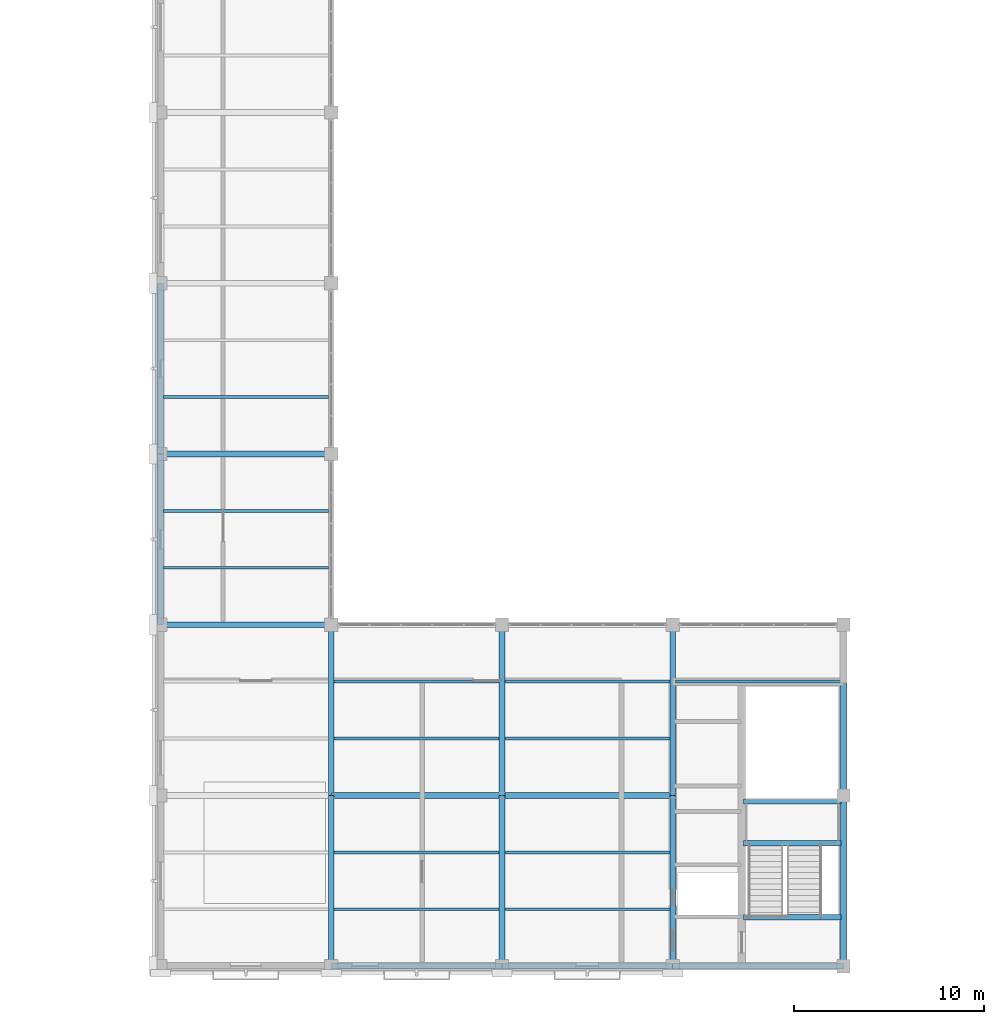
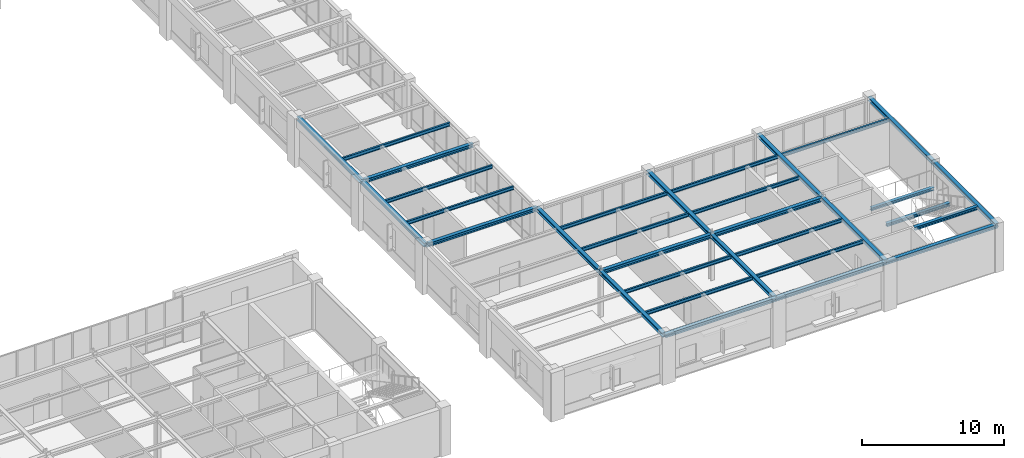
# One storey, part 49 of 108: 32 beams.
"""IFC4 building model written with IfcOpenShell, lengths in metres."""

from ifc_helpers import new_model, si_unit, direction, frame, origin, origin_2d, place, context, subcontext, project, spatial, i_section, extrude, material, material_profile, profile_set, type_object, element, save


model = new_model("IFC4")

# Units and contexts
model_context = context("Model", 3, precision=1e-05, world=origin(), true_north=direction((0.0, 1.0)))
body_context = subcontext(model_context, "Body", "Model", "MODEL_VIEW")
ifc_project = project(units=[si_unit("LENGTHUNIT", "METRE"), si_unit("AREAUNIT", "SQUARE_METRE"), si_unit("VOLUMEUNIT", "CUBIC_METRE"), si_unit("PLANEANGLEUNIT", "RADIAN"), si_unit("MASSUNIT", "GRAM", prefix="KILO")], contexts=[model_context])

# Site, building, storey
site_placement = place(None, origin())
site = spatial("IfcSite", under=ifc_project, at=site_placement, CompositionType="ELEMENT")
building_placement = place(site_placement, origin())
building = spatial("IfcBuilding", under=site, at=building_placement, Name="Lykobir Media Centre", CompositionType="ELEMENT")
storey_placement = place(building_placement, frame((0.0, 0.0, 15.0)))
storey = spatial("IfcBuildingStorey", under=building, at=storey_placement, Name="L03", CompositionType="ELEMENT", Elevation=15.0)

# Beams
ifc_material = material(Name="Steel S355", Category="steel")
ifc_material_profile_1 = material_profile(ifc_material, i_section(OverallWidth=0.300048828125, OverallDepth=0.31005859375, WebThickness=0.009033203125, FlangeThickness=0.015380859375, at=origin_2d()), Name="HEA 320")
ifc_profile_set_1 = profile_set([ifc_material_profile_1], Name="Steel S355")
beam_type_1 = type_object("IfcBeamType", Name="BM-HEA320", PredefinedType="BEAM", material=ifc_profile_set_1)
for number, where, z_axis, x_axis, name in (
    (1, (99.0, 0.0, 3.804931640625), (0.0, 1.0, 0.0), (-1.0, 0.0, 0.0), "Beam BM-L03-0990-0000-0990-0090-1880"),
    (2, (99.0, 9.0, 3.804931640625), (0.0, 1.0, 0.0), (-1.0, 0.0, 0.0), "Beam BM-L03-0990-0090-0990-0180-1880"),
    (3, (108.0, 0.0, 3.804931640625), (0.0, 1.0, 0.0), (-1.0, 0.0, 0.0), "Beam BM-L03-1080-0000-1080-0090-1880"),
    (4, (108.0, 9.0, 3.804931640625), (0.0, 1.0, 0.0), (-1.0, 0.0, 0.0), "Beam BM-L03-1080-0090-1080-0180-1880"),
    (5, (117.0, 0.0, 3.804931640625), (0.0, 1.0, 0.0), (-1.0, 0.0, 0.0), "Beam BM-L03-1170-0000-1170-0090-1880"),
    (6, (117.0, 9.0, 3.804931640625), (0.0, 1.0, 0.0), (-1.0, 0.0, 0.0), "Beam BM-L03-1170-0090-1170-0180-1880"),
    (7, (126.0, 0.0, 3.804931640625), (0.0, 1.0, 0.0), (-1.0, 0.0, 0.0), "Beam BM-L03-1260-0000-1260-0090-1880"),
    (8, (126.0, 9.0, 3.804931640625), (0.0, 1.0, 0.0), (-1.0, 0.0, 0.0), "Beam BM-L03-1260-0090-1260-0180-1880"),
):
    element("IfcBeam", number, at=place(storey_placement, frame(where, z_axis=z_axis, x_axis=x_axis)), inside=storey, type_object=beam_type_1, Name=name, PredefinedType="BEAM", context=body_context, shape_type="SweptSolid", body=[
        extrude(i_section(OverallWidth=0.300048828125, OverallDepth=0.31005859375, WebThickness=0.009033203125, FlangeThickness=0.015380859375, at=origin_2d()), origin(), (0.0, 0.0, 1.0), 9.0),
    ])
ifc_material_profile_2 = material_profile(ifc_material, i_section(OverallWidth=0.300048828125, OverallDepth=0.330078125, WebThickness=0.009521484375, FlangeThickness=0.0166015625, at=origin_2d()), Name="HEA 340")
ifc_profile_set_2 = profile_set([ifc_material_profile_2], Name="Steel S355")
beam_type_2 = type_object("IfcBeamType", Name="BM-HEA340", PredefinedType="BEAM", material=ifc_profile_set_2)
for number, where, z_axis, x_axis, name in (
    (9, (99.0, 9.0, 3.794921875), (1.0, 0.0, 0.0), (0.0, 1.0, 0.0), "Beam BM-L03-0990-0090-1080-0090-1880"),
    (10, (108.0, 9.0, 3.794921875), (1.0, 0.0, 0.0), (0.0, 1.0, 0.0), "Beam BM-L03-1080-0090-1170-0090-1880"),
):
    element("IfcBeam", number, at=place(storey_placement, frame(where, z_axis=z_axis, x_axis=x_axis)), inside=storey, type_object=beam_type_2, Name=name, PredefinedType="BEAM", context=body_context, shape_type="SweptSolid", body=[
        extrude(i_section(OverallWidth=0.300048828125, OverallDepth=0.330078125, WebThickness=0.009521484375, FlangeThickness=0.0166015625, at=origin_2d()), origin(), (0.0, 0.0, 1.0), 9.0),
    ])
ifc_material_profile_3 = material_profile(ifc_material, i_section(OverallWidth=0.260009765625, OverallDepth=0.25, WebThickness=0.007568359375, FlangeThickness=0.012451171875, at=origin_2d()), Name="HEA 260")
ifc_profile_set_3 = profile_set([ifc_material_profile_3], Name="Steel S355")
beam_type_3 = type_object("IfcBeamType", Name="BM-ST260", PredefinedType="BEAM", material=ifc_profile_set_3)
beam_placement = place(storey_placement, frame((120.72998046875, 8.679931640625, 1.7900390625), z_axis=(1.0, 0.0, 0.0), x_axis=(0.0, 1.0, 0.0)))
element("IfcBeam", 11, at=beam_placement, inside=storey, type_object=beam_type_3, Name="ST-5 L03 half-landing support beam", PredefinedType="BEAM", context=body_context, shape_type="SweptSolid", body=[
    extrude(i_section(OverallWidth=0.260009765625, OverallDepth=0.25, WebThickness=0.007568359375, FlangeThickness=0.012451171875, at=origin_2d()), origin(), (0.0, 0.0, 1.0), 5.14013671875),
])
ifc_material_profile_4 = material_profile(ifc_material, i_section(OverallWidth=0.280029296875, OverallDepth=0.27001953125, WebThickness=0.008056640625, FlangeThickness=0.012939453125, at=origin_2d()), Name="HEA 280")
ifc_profile_set_4 = profile_set([ifc_material_profile_4], Name="Steel S355")
beam_type_4 = type_object("IfcBeamType", Name="BM-ST280", PredefinedType="BEAM", material=ifc_profile_set_4)
for number, where, z_axis, x_axis, name in (
    (12, (120.72998046875, 2.580078125, 3.824951171875), (1.0, 0.0, 0.0), (0.0, 1.0, 0.0), "ST-5 L03 arrival trimmer beam"),
    (13, (120.72998046875, 6.47998046875, 1.780029296875), (1.0, 0.0, 0.0), (0.0, 1.0, 0.0), "ST-5 L03 mid-landing trimmer beam"),
):
    element("IfcBeam", number, at=place(storey_placement, frame(where, z_axis=z_axis, x_axis=x_axis)), inside=storey, type_object=beam_type_4, Name=name, PredefinedType="BEAM", context=body_context, shape_type="SweptSolid", body=[
        extrude(i_section(OverallWidth=0.280029296875, OverallDepth=0.27001953125, WebThickness=0.008056640625, FlangeThickness=0.012939453125, at=origin_2d()), origin(), (0.0, 0.0, 1.0), 5.14013671875),
    ])
ifc_material_profile_5 = material_profile(ifc_material, i_section(OverallWidth=0.14990234375, OverallDepth=0.300048828125, WebThickness=0.007080078125, FlangeThickness=0.0107421875, at=origin_2d()), Name="IPE 300")
ifc_profile_set_5 = profile_set([ifc_material_profile_5], Name="Steel S355")
beam_type_5 = type_object("IfcBeamType", Name="JS-IPE300", PredefinedType="JOIST", material=ifc_profile_set_5)
for number, where, z_axis, x_axis, name in (
    (14, (90.14990234375, 21.0, 3.81005859375), (1.0, 0.0, 0.0), (0.0, 1.0, 0.0), "Beam BM-L03-0902-0210-0988-0210-1881"),
    (15, (90.14990234375, 24.0, 3.81005859375), (1.0, 0.0, 0.0), (0.0, 1.0, 0.0), "Beam BM-L03-0902-0240-0988-0240-1881"),
    (16, (90.14990234375, 30.0, 3.81005859375), (1.0, 0.0, 0.0), (0.0, 1.0, 0.0), "Beam BM-L03-0902-0300-0988-0300-1881"),
    (17, (99.14990234375, 3.0, 3.81005859375), (1.0, 0.0, 0.0), (0.0, 1.0, 0.0), "Beam BM-L03-0992-0030-1078-0030-1881"),
    (18, (99.14990234375, 6.0, 3.81005859375), (1.0, 0.0, 0.0), (0.0, 1.0, 0.0), "Beam BM-L03-0992-0060-1078-0060-1881"),
    (19, (99.14990234375, 12.0, 3.81005859375), (1.0, 0.0, 0.0), (0.0, 1.0, 0.0), "Beam BM-L03-0992-0120-1078-0120-1881"),
    (20, (99.14990234375, 15.0, 3.81005859375), (1.0, 0.0, 0.0), (0.0, 1.0, 0.0), "Beam BM-L03-0992-0150-1078-0150-1881"),
    (21, (108.14990234375, 3.0, 3.81005859375), (1.0, 0.0, 0.0), (0.0, 1.0, 0.0), "Beam BM-L03-1082-0030-1168-0030-1881"),
    (22, (108.14990234375, 6.0, 3.81005859375), (1.0, 0.0, 0.0), (0.0, 1.0, 0.0), "Beam BM-L03-1082-0060-1168-0060-1881"),
    (23, (108.14990234375, 12.0, 3.81005859375), (1.0, 0.0, 0.0), (0.0, 1.0, 0.0), "Beam BM-L03-1082-0120-1168-0120-1881"),
    (24, (108.14990234375, 15.0, 3.81005859375), (1.0, 0.0, 0.0), (0.0, 1.0, 0.0), "Beam BM-L03-1082-0150-1168-0150-1881"),
    (25, (117.14990234375, 15.0, 3.81005859375), (1.0, 0.0, 0.0), (0.0, 1.0, 0.0), "Beam BM-L03-1172-0150-1258-0150-1881"),
):
    element("IfcBeam", number, at=place(storey_placement, frame(where, z_axis=z_axis, x_axis=x_axis)), inside=storey, type_object=beam_type_5, Name=name, PredefinedType="JOIST", context=body_context, shape_type="SweptSolid", body=[
        extrude(i_section(OverallWidth=0.14990234375, OverallDepth=0.300048828125, WebThickness=0.007080078125, FlangeThickness=0.0107421875, at=origin_2d()), origin(), (0.0, 0.0, 1.0), 8.7001953125),
    ])
ifc_material_profile_6 = material_profile(ifc_material, i_section(OverallWidth=0.300048828125, OverallDepth=0.31005859375, WebThickness=0.009033203125, FlangeThickness=0.015380859375, at=origin_2d()), Name="HEA 320")
ifc_profile_set_6 = profile_set([ifc_material_profile_6], Name="Steel S355")
beam_type_6 = type_object("IfcBeamType", Name="SP-HEA320", PredefinedType="SPANDREL", material=ifc_profile_set_6)
for number, where, z_axis, x_axis, name in (
    (26, (90.0, 18.0, 3.804931640625), (1.0, 0.0, 0.0), (0.0, 1.0, 0.0), "Beam BM-L03-0900-0180-0990-0180-1880"),
    (27, (90.0, 27.0, 3.804931640625), (1.0, 0.0, 0.0), (0.0, 1.0, 0.0), "Beam BM-L03-0900-0270-0990-0270-1880"),
):
    element("IfcBeam", number, at=place(storey_placement, frame(where, z_axis=z_axis, x_axis=x_axis)), inside=storey, type_object=beam_type_6, Name=name, PredefinedType="SPANDREL", context=body_context, shape_type="SweptSolid", body=[
        extrude(i_section(OverallWidth=0.300048828125, OverallDepth=0.31005859375, WebThickness=0.009033203125, FlangeThickness=0.015380859375, at=origin_2d()), origin(), (0.0, 0.0, 1.0), 9.0),
    ])
ifc_material_profile_7 = material_profile(ifc_material, i_section(OverallWidth=0.300048828125, OverallDepth=0.31005859375, WebThickness=0.009033203125, FlangeThickness=0.015380859375, at=origin_2d()), Name="HEA 320")
ifc_profile_set_7 = profile_set([ifc_material_profile_7], Name="Steel S355")
beam_type_7 = type_object("IfcBeamType", Name="SP-HEA320-E", PredefinedType="SPANDREL", material=ifc_profile_set_7)
for number, where, z_axis, x_axis, name in (
    (28, (99.0, 0.0, 3.804931640625), (1.0, 0.0, 0.0), (0.0, 1.0, 0.0), "Beam BM-L03-0990-0000-1080-0000-1880"),
    (29, (108.0, 0.0, 3.804931640625), (1.0, 0.0, 0.0), (0.0, 1.0, 0.0), "Beam BM-L03-1080-0000-1170-0000-1880"),
    (30, (117.0, 0.0, 3.804931640625), (1.0, 0.0, 0.0), (0.0, 1.0, 0.0), "Beam BM-L03-1170-0000-1260-0000-1880"),
    (31, (90.0, 18.0, 3.804931640625), (0.0, 1.0, 0.0), (-1.0, 0.0, 0.0), "Beam BM-L03-0900-0180-0900-0270-1880"),
    (32, (90.0, 27.0, 3.804931640625), (0.0, 1.0, 0.0), (-1.0, 0.0, 0.0), "Beam BM-L03-0900-0270-0900-0360-1880"),
):
    element("IfcBeam", number, at=place(storey_placement, frame(where, z_axis=z_axis, x_axis=x_axis)), inside=storey, type_object=beam_type_7, Name=name, PredefinedType="SPANDREL", context=body_context, shape_type="SweptSolid", body=[
        extrude(i_section(OverallWidth=0.300048828125, OverallDepth=0.31005859375, WebThickness=0.009033203125, FlangeThickness=0.015380859375, at=origin_2d()), origin(), (0.0, 0.0, 1.0), 9.0),
    ])

save(model, "model.ifc")
